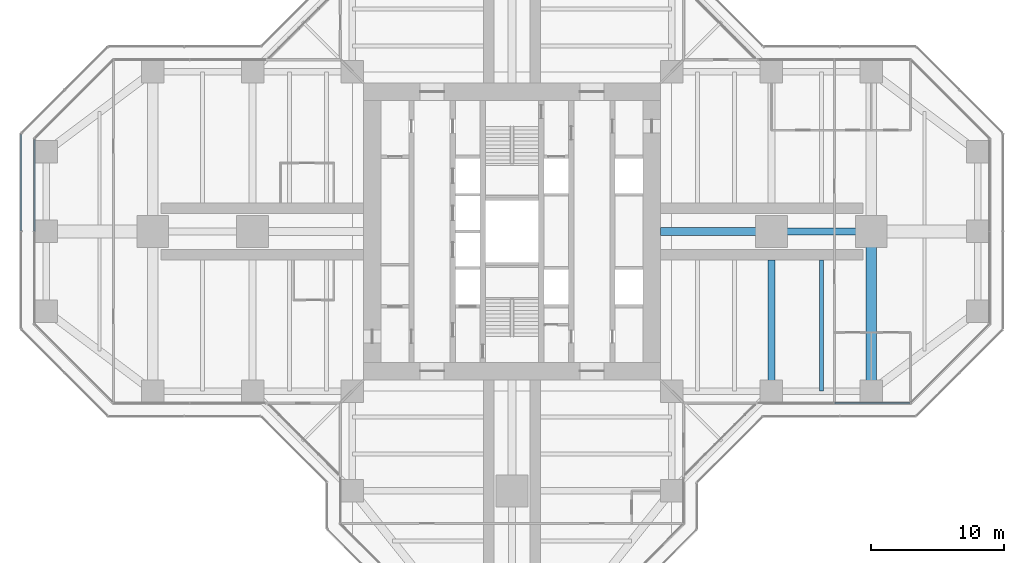
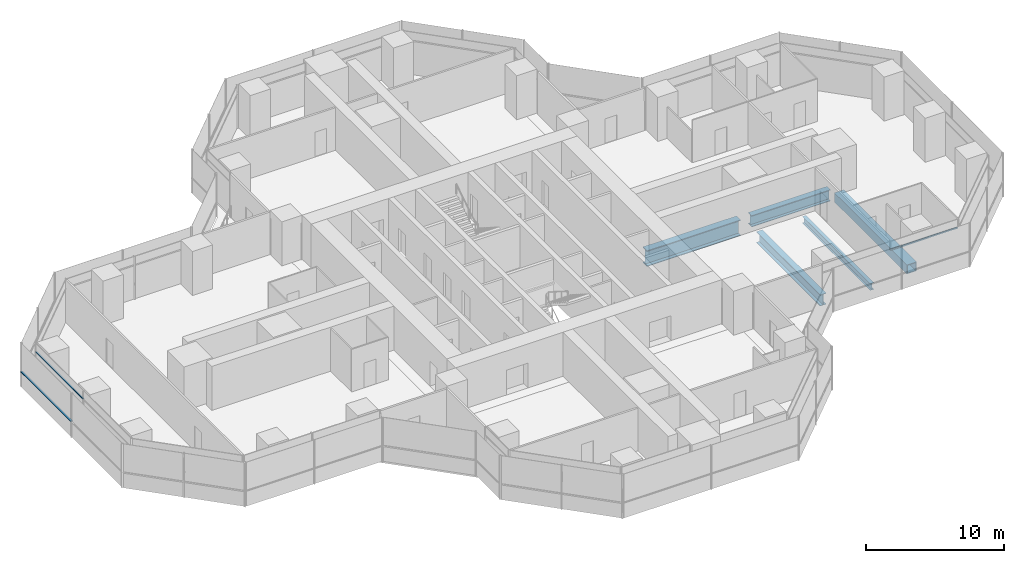
# One storey, part 6 of 19: 5 beams, 3 members, 3 elements without a shape of their own.
"""IFC4 building model written with IfcOpenShell, lengths in metres."""

from ifc_helpers import new_model, si_unit, direction, frame, origin, origin_2d, place, context, subcontext, project, spatial, rectangle, hollow_rectangle, i_section, extrude, material, material_profile, profile_set, type_object, element, aggregate, save


model = new_model("IFC4")

# Units and contexts
model_context = context("Model", 3, precision=1e-05, world=origin(), true_north=direction((0.0, 1.0)))
body_context = subcontext(model_context, "Body", "Model", "MODEL_VIEW")
ifc_project = project(units=[si_unit("LENGTHUNIT", "METRE"), si_unit("AREAUNIT", "SQUARE_METRE"), si_unit("VOLUMEUNIT", "CUBIC_METRE"), si_unit("PLANEANGLEUNIT", "RADIAN"), si_unit("MASSUNIT", "GRAM", prefix="KILO")], contexts=[model_context])

# Site, building, storey
site_placement = place(None, origin())
site = spatial("IfcSite", under=ifc_project, at=site_placement, CompositionType="ELEMENT")
building_placement = place(site_placement, origin())
building = spatial("IfcBuilding", under=site, at=building_placement, Name="Mizan Broadcast Tower", CompositionType="ELEMENT")
storey_placement = place(building_placement, frame((0.0, 0.0, 132.0)))
storey = spatial("IfcBuildingStorey", under=building, at=storey_placement, Name="L29", CompositionType="ELEMENT", Elevation=132.0)

# Beams
ifc_material_1 = material(Name="Steel S460", Category="steel")
ifc_material_profile_1 = material_profile(ifc_material_1, hollow_rectangle(XDim=0.800048828125, YDim=0.800048828125, WallThickness=0.050048828125, at=origin_2d()), Name="BOX 800x800x50")
ifc_profile_set_1 = profile_set([ifc_material_profile_1], Name="Steel S460")
beam_type_1 = type_object("IfcBeamType", Name="GIRDER BOX 800x800x50", PredefinedType="BEAM", material=ifc_profile_set_1)
beam_1_placement = place(storey_placement, frame((27.0, -11.280029296875, -0.530029296875), z_axis=(0.0, 1.0, 0.0), x_axis=(-1.0, 0.0, 0.0)))
element("IfcBeam", 1, at=beam_1_placement, inside=storey, type_object=beam_type_1, Name="Girder BOX 800x800x50 L29 east arm", PredefinedType="BEAM", context=body_context, shape_type="SweptSolid", body=[
    extrude(hollow_rectangle(XDim=0.800048828125, YDim=0.800048828125, WallThickness=0.050048828125, at=origin_2d()), origin(), (0.0, 0.0, 1.0), 10.56005859375),
])
ifc_material_2 = material(Name="Steel S460", Category="steel")
ifc_material_profile_2 = material_profile(ifc_material_2, i_section(OverallWidth=0.5, OverallDepth=1.0, WebThickness=0.02490234375, FlangeThickness=0.050048828125, at=origin_2d()), Name="WPG 1000x500")
ifc_profile_set_2 = profile_set([ifc_material_profile_2], Name="Steel S460")
beam_type_2 = type_object("IfcBeamType", Name="GIRDER WPG 1000x500", PredefinedType="BEAM", material=ifc_profile_set_2)
beam_2_placement = place(storey_placement, frame((19.949951171875, 0.0, -0.6298828125), z_axis=(1.0, 0.0, 0.0), x_axis=(0.0, 1.0, 0.0)))
element("IfcBeam", 2, at=beam_2_placement, inside=storey, type_object=beam_type_2, Name="Girder WPG 1000x500 L29 east arm", PredefinedType="BEAM", context=body_context, shape_type="SweptSolid", body=[
    extrude(i_section(OverallWidth=0.5, OverallDepth=1.0, WebThickness=0.02490234375, FlangeThickness=0.050048828125, at=origin_2d()), origin(), (0.0, 0.0, 1.0), 6.60009765625),
])
beam_3_placement = place(storey_placement, frame((19.5, -11.408935546875, -0.6298828125), z_axis=(0.0, 1.0, 0.0), x_axis=(-1.0, 0.0, 0.0)))
element("IfcBeam", 3, at=beam_3_placement, inside=storey, type_object=beam_type_2, Name="Girder WPG 1000x500 L29 east arm", PredefinedType="BEAM", context=body_context, shape_type="SweptSolid", body=[
    extrude(i_section(OverallWidth=0.5, OverallDepth=1.0, WebThickness=0.02490234375, FlangeThickness=0.050048828125, at=origin_2d()), origin(), (0.0, 0.0, 1.0), 9.259033203125),
])
ifc_material_3 = material(Name="Steel S460", Category="steel")
ifc_material_profile_3 = material_profile(ifc_material_3, i_section(OverallWidth=0.60009765625, OverallDepth=1.39990234375, WebThickness=0.02490234375, FlangeThickness=0.06005859375, at=origin_2d()), Name="WPG 1400x600")
ifc_profile_set_3 = profile_set([ifc_material_profile_3], Name="Steel S460")
beam_type_3 = type_object("IfcBeamType", Name="GIRDER WPG 1400x600", PredefinedType="BEAM", material=ifc_profile_set_3)
beam_4_placement = place(storey_placement, frame((11.14990234375, 0.0, -0.830078125), z_axis=(1.0, 0.0, 0.0), x_axis=(0.0, 1.0, 0.0)))
element("IfcBeam", 4, at=beam_4_placement, inside=storey, type_object=beam_type_3, Name="Girder WPG 1400x600 L29 east arm", PredefinedType="BEAM", context=body_context, shape_type="SweptSolid", body=[
    extrude(i_section(OverallWidth=0.60009765625, OverallDepth=1.39990234375, WebThickness=0.02490234375, FlangeThickness=0.06005859375, at=origin_2d()), origin(), (0.0, 0.0, 1.0), 7.84912109375),
])

# Curtain wall, member
ifc_material_4 = material(Name="Aluminium framed glazing", Category="aluminium")
curtain_wall_type_1 = type_object("IfcCurtainWallType", Name="INNER SKIN MID ZONE", PredefinedType="USERDEFINED", material=ifc_material_4)
curtain_wall_1_placement = place(storey_placement, origin())
curtain_wall_1 = element("IfcCurtainWall", 5, at=curtain_wall_1_placement, inside=storey, type_object=curtain_wall_type_1, Name="Inner skin mid zone L29 E side", ObjectType="INNER SKIN MID ZONE", PredefinedType="USERDEFINED")
ifc_material_5 = material(Name="Aluminium, pale anodised", Category="aluminium")
ifc_material_profile_4 = material_profile(ifc_material_5, rectangle(XDim=0.1201171875, YDim=0.06005859375, at=origin_2d()), Name="TRANSOM 120x60")
ifc_profile_set_4 = profile_set([ifc_material_profile_4], Name="Aluminium, pale anodised")
member_type_1 = type_object("IfcMemberType", Name="INNER SKIN TRANSOM 60x120", PredefinedType="USERDEFINED", material=ifc_profile_set_4)
member_1_placement = place(storey_placement, frame((24.25927734375, -12.89990234375, 3.030029296875), z_axis=(1.0, 0.0, 0.0), x_axis=(0.0, 1.0, 0.0)))
member_1 = element("IfcMember", 6, at=member_1_placement, type_object=member_type_1, Name="Inner skin mid zone L29 E side transom 2.1", ObjectType="TRANSOM", PredefinedType="USERDEFINED", context=body_context, shape_type="SweptSolid", body=[
    extrude(rectangle(XDim=0.1201171875, YDim=0.06005859375, at=origin_2d()), origin(), (0.0, 0.0, 1.0), 5.639404296875),
])
aggregate(curtain_wall_1, [member_1])

curtain_wall_2_placement = place(storey_placement, origin())
curtain_wall_2 = element("IfcCurtainWall", 7, at=curtain_wall_2_placement, inside=storey, type_object=curtain_wall_type_1, Name="Inner skin mid zone L29 W end", ObjectType="INNER SKIN MID ZONE", PredefinedType="USERDEFINED")
member_2_placement = place(storey_placement, frame((-35.89990234375, 6.898681640625, 3.030029296875), z_axis=(0.0, -1.0, 0.0), x_axis=(1.0, 0.0, 0.0)))
member_2 = element("IfcMember", 8, at=member_2_placement, type_object=member_type_1, Name="Inner skin mid zone L29 W end transom 1.1", ObjectType="TRANSOM", PredefinedType="USERDEFINED", context=body_context, shape_type="SweptSolid", body=[
    extrude(rectangle(XDim=0.1201171875, YDim=0.06005859375, at=origin_2d()), origin(), (0.0, 0.0, 1.0), 6.86865234375),
])
aggregate(curtain_wall_2, [member_2])

ifc_material_6 = material(Name="Aluminium framed glazing", Category="aluminium")
curtain_wall_type_2 = type_object("IfcCurtainWallType", Name="OUTER SKIN", PredefinedType="USERDEFINED", material=ifc_material_6)
curtain_wall_3_placement = place(storey_placement, origin())
curtain_wall_3 = element("IfcCurtainWall", 9, at=curtain_wall_3_placement, inside=storey, type_object=curtain_wall_type_2, Name="Outer skin L29 W end", ObjectType="OUTER SKIN", PredefinedType="USERDEFINED")
ifc_material_7 = material(Name="Aluminium, pale anodised", Category="aluminium")
ifc_material_profile_5 = material_profile(ifc_material_7, rectangle(XDim=0.159912109375, YDim=0.06005859375, at=origin_2d()), Name="TRANSOM 160x60")
ifc_profile_set_5 = profile_set([ifc_material_profile_5], Name="Aluminium, pale anodised")
member_type_2 = type_object("IfcMemberType", Name="OUTER SKIN TRANSOM 60x160", PredefinedType="USERDEFINED", material=ifc_profile_set_5)
member_3_placement = place(storey_placement, frame((-36.89990234375, 7.292724609375, 1.39990234375), z_axis=(0.0, -1.0, 0.0), x_axis=(1.0, 0.0, 0.0)))
member_3 = element("IfcMember", 10, at=member_3_placement, type_object=member_type_2, Name="Outer skin L29 W end transom 1.1", ObjectType="TRANSOM", PredefinedType="USERDEFINED", context=body_context, shape_type="SweptSolid", body=[
    extrude(rectangle(XDim=0.159912109375, YDim=0.06005859375, at=origin_2d()), origin(), (0.0, 0.0, 1.0), 7.252685546875),
])
aggregate(curtain_wall_3, [member_3])

# Beam
ifc_material_8 = material(Name="Steel S355", Category="steel")
ifc_material_profile_6 = material_profile(ifc_material_8, i_section(OverallWidth=0.300048828125, OverallDepth=0.590087890625, WebThickness=0.012939453125, FlangeThickness=0.02490234375, FilletRadius=0.027099609375, at=origin_2d()), Name="HEA 600")
ifc_profile_set_6 = profile_set([ifc_material_profile_6], Name="Steel S355")
beam_type_4 = type_object("IfcBeamType", Name="SECONDARY BEAM HEA 600", PredefinedType="JOIST", material=ifc_profile_set_6)
beam_5_placement = place(storey_placement, frame((23.25, -12.0, -0.425048828125), z_axis=(0.0, 1.0, 0.0), x_axis=(-1.0, 0.0, 0.0)))
element("IfcBeam", 11, at=beam_5_placement, inside=storey, type_object=beam_type_4, Name="Secondary beam HEA 600 L29 east arm", PredefinedType="JOIST", context=body_context, shape_type="SweptSolid", body=[
    extrude(i_section(OverallWidth=0.300048828125, OverallDepth=0.590087890625, WebThickness=0.012939453125, FlangeThickness=0.02490234375, FilletRadius=0.027099609375, at=origin_2d()), origin(), (0.0, 0.0, 1.0), 9.85009765625),
])

save(model, "model.ifc")
